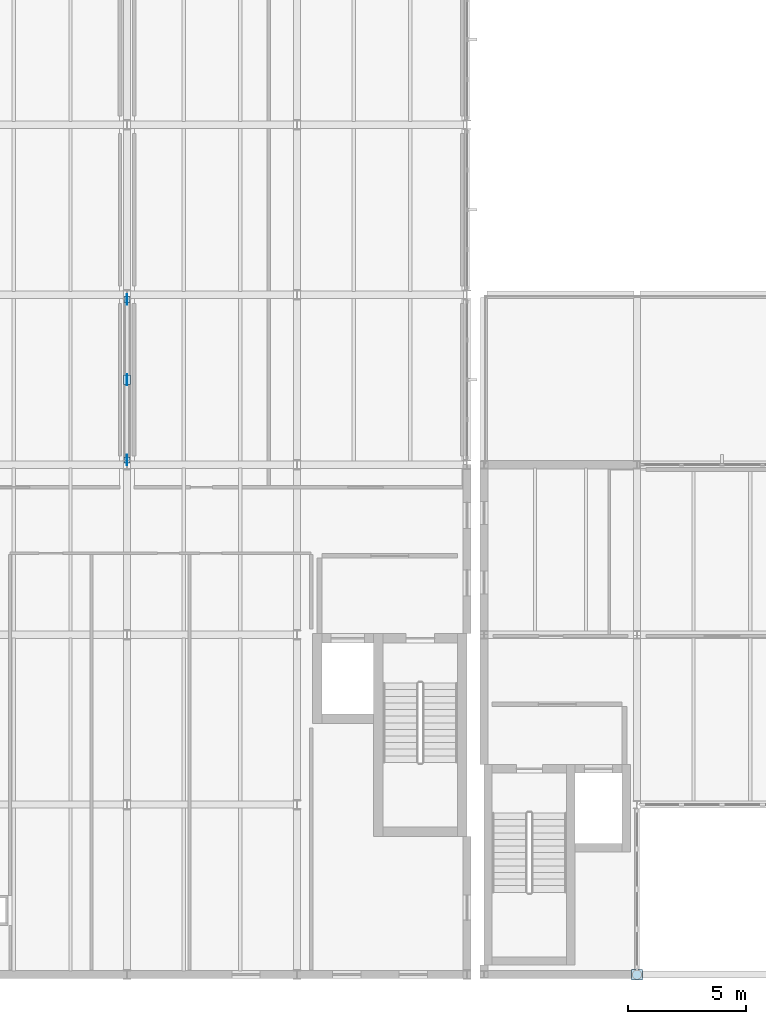
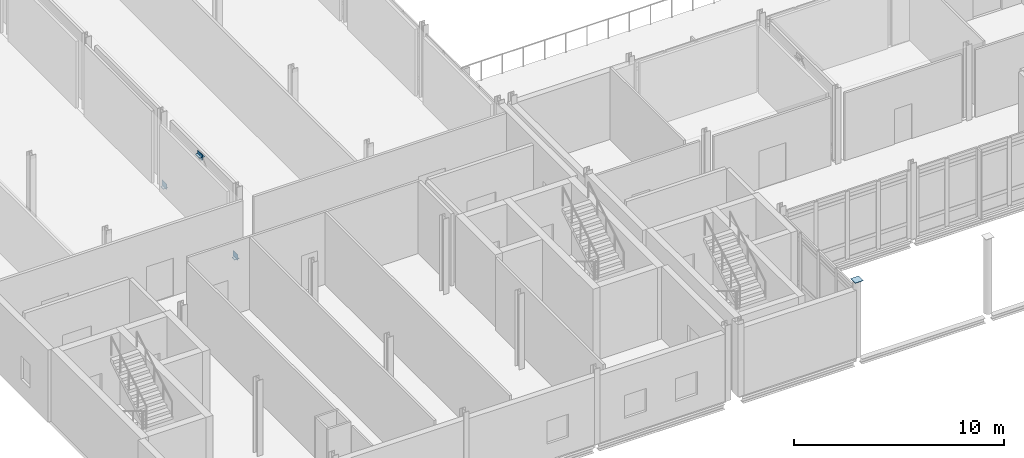
# One storey, part 29 of 53: 7 plates.
"""IFC4 building model written with IfcOpenShell, lengths in metres."""

import ifcopenshell
import ifcopenshell.guid

model = None  # the IFC model being written
_history = None  # IfcOwnerHistory: only IFC2X3 demands one
_inside = {}  # id of a spatial element -> (the spatial element, [elements in it])
_under = {}  # id of a project, library or spatial element -> (it, [spatial elements below it])
_declared = {}  # id of a project -> (the project, [libraries it declares])
_typed = {}  # id of a type object -> (the type object, [elements of that type])
_made_of = {}  # id of a material, layer set ... -> (it, [elements and type objects made of it])


def new_model(schema):
    """Start an empty IFC model of exactly this schema.

    Asked for "IFC4X3", IfcOpenShell would pick the latest addendum, in which some entities
    have other attributes; the version numbers below select the first issue.
    IFC2X3 requires an IfcOwnerHistory on every rooted entity: one is made here for all.
    """
    global model, _history
    if schema == "IFC4X3":
        model = ifcopenshell.file(schema_version=(4, 3, 0, 0))
    else:
        model = ifcopenshell.file(schema=schema)
    _inside.clear()
    _under.clear()
    _declared.clear()
    _typed.clear()
    _made_of.clear()
    _history = None
    if model.schema == "IFC2X3":
        org = make("IfcOrganization", Name="unknown")
        user = make(
            "IfcPersonAndOrganization",
            ThePerson=make("IfcPerson", FamilyName="unknown"),
            TheOrganization=org,
        )
        app = make(
            "IfcApplication",
            ApplicationDeveloper=org,
            Version="unknown",
            ApplicationFullName="unknown",
            ApplicationIdentifier="unknown",
        )
        _history = make(
            "IfcOwnerHistory",
            OwningUser=user,
            OwningApplication=app,
            ChangeAction="ADDED",
            CreationDate=0,
        )
    return model


def make(cls, **values):
    """One entity of the class cls with the attributes given. An attribute that is None is left unset."""
    return model.create_entity(
        cls, **{name: value for name, value in values.items() if value is not None}
    )


def rooted(cls, **values):
    """An entity with a GlobalId (a new one), such as an element, a storey or a relation."""
    return make(cls, GlobalId=ifcopenshell.guid.new(), OwnerHistory=_history, **values)


def si_unit(unit_type, name, prefix=None):
    """IfcSIUnit, for example si_unit("LENGTHUNIT", "METRE", prefix="MILLI")."""
    return make("IfcSIUnit", UnitType=unit_type, Prefix=prefix, Name=name)


def assignment(units):
    """IfcUnitAssignment: the units of a project."""
    return None if units is None else make("IfcUnitAssignment", Units=units)


def point(xyz):
    """IfcCartesianPoint."""
    return None if xyz is None else make("IfcCartesianPoint", Coordinates=xyz)


def direction(xyz):
    """IfcDirection."""
    return None if xyz is None else make("IfcDirection", DirectionRatios=xyz)


def frame(location, z_axis=None, x_axis=None):
    """IfcAxis2Placement3D, a coordinate frame: its origin and axes. An axis left out is left unset."""
    return make(
        "IfcAxis2Placement3D",
        Location=point(location),
        Axis=direction(z_axis),
        RefDirection=direction(x_axis),
    )


def frame_2d(location, x_axis=None):
    """IfcAxis2Placement2D, a coordinate frame in the plane: its origin and x axis."""
    return make(
        "IfcAxis2Placement2D", Location=point(location), RefDirection=direction(x_axis)
    )


def origin():
    """The frame at (0, 0, 0) with its axes left unset."""
    return frame((0.0, 0.0, 0.0))


def origin_2d():
    """The frame at (0, 0) in the plane with its x axis left unset."""
    return frame_2d((0.0, 0.0))


def place(relative_to, where):
    """IfcLocalPlacement: puts the frame where relative to a parent placement (None: the world)."""
    return make(
        "IfcLocalPlacement", PlacementRelTo=relative_to, RelativePlacement=where
    )


def context(
    kind, dimensions, precision=None, world=None, true_north=None, identifier=None
):
    """IfcGeometricRepresentationContext, for example the 3D "Model" context."""
    return make(
        "IfcGeometricRepresentationContext",
        ContextIdentifier=identifier,
        ContextType=kind,
        CoordinateSpaceDimension=dimensions,
        Precision=precision,
        WorldCoordinateSystem=world,
        TrueNorth=true_north,
    )


def subcontext(parent, identifier, kind, view, scale=None):
    """IfcGeometricRepresentationSubContext, for example "Body" below "Model"."""
    return make(
        "IfcGeometricRepresentationSubContext",
        ContextIdentifier=identifier,
        ContextType=kind,
        ParentContext=parent,
        TargetScale=scale,
        TargetView=view,
    )


def project(units=None, contexts=None):
    """IfcProject with its units and contexts."""
    return rooted(
        "IfcProject",
        Name="project",
        RepresentationContexts=contexts,
        UnitsInContext=assignment(units),
    )


def spatial(cls, under=None, at=None, **own):
    """A site, building, storey or space (cls), placed at a placement, below another one or the project."""
    s = rooted(cls, ObjectPlacement=at, **own)
    if under is not None:
        _under.setdefault(under.id(), (under, []))[1].append(s)
    return s


def profile(cls, at=None, kind="AREA", **sizes):
    """A parametric profile (cls). Its sizes go by their IFC names, for example OverallWidth=200.0."""
    return make(cls, ProfileType=kind, Position=at, **sizes)


def rectangle(**sizes):
    """IfcRectangleProfileDef."""
    return profile("IfcRectangleProfileDef", **sizes)


def extrude(swept, where, along, depth):
    """IfcExtrudedAreaSolid: the profile swept, set in the frame where, extruded along a direction by depth."""
    return make(
        "IfcExtrudedAreaSolid",
        SweptArea=swept,
        Position=where,
        ExtrudedDirection=direction(along),
        Depth=depth,
    )


def shape(context_of_items, identifier, shape_type, items):
    """IfcShapeRepresentation: the items that make up one representation, for example the "Body"."""
    return make(
        "IfcShapeRepresentation",
        ContextOfItems=context_of_items,
        RepresentationIdentifier=identifier,
        RepresentationType=shape_type,
        Items=items,
    )


def material(Name=None, Category=None):
    """IfcMaterial."""
    return make("IfcMaterial", Name=Name, Category=Category)


def layer(
    of_material, thickness, ventilated=None, Name=None, Category=None, Priority=None
):
    """IfcMaterialLayer: one layer of a wall or slab, of a material (None: an air gap)."""
    return make(
        "IfcMaterialLayer",
        Material=of_material,
        LayerThickness=thickness,
        IsVentilated=ventilated,
        Name=Name,
        Category=Category,
        Priority=Priority,
    )


def layer_set(layers, Name=None):
    """IfcMaterialLayerSet."""
    return make("IfcMaterialLayerSet", MaterialLayers=layers, LayerSetName=Name)


def made_of(thing, what):
    """Note that an element or type object is made of a material, layer set ...; save() writes the relation."""
    if what is not None:
        _made_of.setdefault(what.id(), (what, []))[1].append(thing)
    return thing


def type_object(cls, material=None, **own):
    """A type object (cls), such as IfcWallType, which elements share."""
    return made_of(rooted(cls, **own), material)


def element(
    cls,
    number,
    at=None,
    inside=None,
    cuts=None,
    type_object=None,
    material=None,
    context=None,
    identifier="Body",
    shape_type=None,
    held_by="IfcProductDefinitionShape",
    body=None,
    shapes=None,
    **own,
):
    """One element of the class cls, such as IfcWall. Its Tag is "e" and its number.

    at: its placement. inside: the storey or other place that contains it. cuts: it is an
    opening in that element (IfcRelVoidsElement). A single representation is given by context,
    identifier, shape_type and body (its items); several are given by shapes. held_by: the class
    of the entity that holds the representations. save() writes the other relations.
    """
    e = rooted(cls, Tag="e%d" % number, ObjectPlacement=at, **own)
    if body is not None:
        shapes = [shape(context, identifier, shape_type, body)]
    if shapes is not None:
        e.Representation = make(held_by, Representations=shapes)
    if inside is not None:
        _inside.setdefault(inside.id(), (inside, []))[1].append(e)
    if cuts is not None:
        rooted(
            "IfcRelVoidsElement", RelatingBuildingElement=cuts, RelatedOpeningElement=e
        )
    if type_object is not None:
        _typed.setdefault(type_object.id(), (type_object, []))[1].append(e)
    return made_of(e, material)


def aggregate(whole, parts):
    """IfcRelAggregates: a whole, such as a stair, and the parts it consists of."""
    return rooted("IfcRelAggregates", RelatingObject=whole, RelatedObjects=parts)


def save(model, path):
    """Write the relations noted so far, then the file.

    IfcRelAggregates (storeys below a building ...), IfcRelContainedInSpatialStructure (elements
    in a storey), IfcRelDefinesByType, IfcRelAssociatesMaterial and IfcRelDeclares: one each for
    every whole, place, type object, material and project.
    """
    for whole, parts in _under.values():
        aggregate(whole, parts)
    for where, things in _inside.values():
        rooted(
            "IfcRelContainedInSpatialStructure",
            RelatedElements=things,
            RelatingStructure=where,
        )
    for kind, things in _typed.values():
        rooted("IfcRelDefinesByType", RelatedObjects=things, RelatingType=kind)
    for what, things in _made_of.values():
        rooted("IfcRelAssociatesMaterial", RelatedObjects=things, RelatingMaterial=what)
    for by, libraries in _declared.values():
        rooted("IfcRelDeclares", RelatingContext=by, RelatedDefinitions=libraries)
    model.write(path)


model = new_model("IFC4")

# Units and contexts
model_context = context("Model", 3, precision=1e-05, world=origin(), true_north=direction((0.0, 1.0)))
body_context = subcontext(model_context, "Body", "Model", "MODEL_VIEW")
ifc_project = project(units=[si_unit("LENGTHUNIT", "METRE"), si_unit("AREAUNIT", "SQUARE_METRE"), si_unit("VOLUMEUNIT", "CUBIC_METRE"), si_unit("PLANEANGLEUNIT", "RADIAN"), si_unit("MASSUNIT", "GRAM", prefix="KILO")], contexts=[model_context])

# Site, building, storey
site_placement = place(None, origin())
site = spatial("IfcSite", under=ifc_project, at=site_placement, CompositionType="ELEMENT")
building_placement = place(site_placement, origin())
building = spatial("IfcBuilding", under=site, at=building_placement, Name="Zarrinpeak Specialist Clinic", CompositionType="ELEMENT")
storey_placement = place(building_placement, frame((0.0, 0.0, 14.0)))
storey = spatial("IfcBuildingStorey", under=building, at=storey_placement, Name="L03", CompositionType="ELEMENT", Elevation=14.0)

# Plates
ifc_material = material(Name="Steel S355", Category="steel")
ifc_layer_1 = layer(ifc_material, 0.01611328125)
ifc_layer_set_1 = layer_set([ifc_layer_1], Name="Steel S355")
plate_type_1 = type_object("IfcPlateType", Name="PL-CAP219", PredefinedType="SHEET", material=ifc_layer_set_1)
for number, where, z_axis, x_axis, name in (
    (1, (14.39990234375, 21.800048828125, 0.0009765625), (0.0, 0.0, 1.0), (1.0, 0.0, 0.0), "V1 L03 Hollow Brace Foot Cap Plate A"),
    (2, (14.39990234375, 28.60009765625, 0.0009765625), (0.0, 0.0, 1.0), (1.0, 0.0, 0.0), "V1 L03 Hollow Brace Foot Cap Plate B"),
):
    element("IfcPlate", number, at=place(storey_placement, frame(where, z_axis=z_axis, x_axis=x_axis)), inside=storey, type_object=plate_type_1, Name=name, PredefinedType="SHEET", context=body_context, shape_type="SweptSolid", body=[
        extrude(rectangle(XDim=0.260009765625, YDim=0.260009765625, at=origin_2d()), origin(), (0.0, 0.0, 1.0), 0.01611328125),
    ])
ifc_layer_2 = layer(ifc_material, 0.02197265625)
ifc_layer_set_2 = layer_set([ifc_layer_2], Name="Steel S355")
plate_type_2 = type_object("IfcPlateType", Name="PL-CAP406", PredefinedType="SHEET", material=ifc_layer_set_2)
plate_1_placement = place(storey_placement, frame((36.0, 0.0, 4.39599609375), z_axis=(0.0, 0.0, 1.0), x_axis=(1.0, 0.0, 0.0)))
element("IfcPlate", 3, at=plate_1_placement, inside=storey, type_object=plate_type_2, Name="L03 Hollow Column Top Cap Plate CCAP-T-123", PredefinedType="SHEET", context=body_context, shape_type="SweptSolid", body=[
    extrude(rectangle(XDim=0.449951171875, YDim=0.449951171875, at=origin_2d()), origin(), (0.0, 0.0, 1.0), 0.02197265625),
])
ifc_layer_3 = layer(ifc_material, 0.02001953125)
ifc_layer_set_3 = layer_set([ifc_layer_3], Name="Steel S355")
plate_type_3 = type_object("IfcPlateType", Name="PL-GN01", PredefinedType="SHEET", material=ifc_layer_set_3)
plate_2_placement = place(storey_placement, frame((14.39990234375, 25.199951171875, 3.73974609375), z_axis=(0.0, 0.0, 1.0), x_axis=(1.0, 0.0, 0.0)))
element("IfcPlate", 4, at=plate_2_placement, inside=storey, type_object=plate_type_3, Name="V1 L03 Chevron Gusset Node Plate GN-V1-L03", PredefinedType="SHEET", context=body_context, shape_type="SweptSolid", body=[
    extrude(rectangle(XDim=0.02001953125, YDim=0.47998046875, at=origin_2d()), origin(), (0.0, 0.0, 1.0), 0.340087890625),
])
ifc_layer_4 = layer(ifc_material, 0.01611328125)
ifc_layer_set_4 = layer_set([ifc_layer_4], Name="Steel S355")
plate_type_4 = type_object("IfcPlateType", Name="PL-GN02", PredefinedType="SHEET", material=ifc_layer_set_4)
plate_3_placement = place(storey_placement, frame((14.39990234375, 25.199951171875, 3.907958984375), z_axis=(0.0, 0.0, 1.0), x_axis=(1.0, 0.0, 0.0)))
element("IfcPlate", 5, at=plate_3_placement, inside=storey, type_object=plate_type_4, Name="V1 L03 Chevron Apex Seal Plate GNCAP-V1-L03", PredefinedType="SHEET", context=body_context, shape_type="SweptSolid", body=[
    extrude(rectangle(XDim=0.280029296875, YDim=0.39990234375, at=origin_2d()), origin(), (0.0, 0.0, 1.0), 0.01611328125),
])
ifc_layer_5 = layer(ifc_material, 0.01806640625)
ifc_layer_set_5 = layer_set([ifc_layer_5], Name="Steel S355")
plate_type_5 = type_object("IfcPlateType", Name="PL-GN03", PredefinedType="SHEET", material=ifc_layer_set_5)
for number, where, z_axis, x_axis, name in (
    (6, (14.39990234375, 21.800048828125, 0.0048828125), (0.0, 0.0, 1.0), (1.0, 0.0, 0.0), "V1 L03 Brace Foot Gusset Plate GNF-V1-L03-A"),
    (7, (14.39990234375, 28.60009765625, 0.0048828125), (0.0, 0.0, 1.0), (1.0, 0.0, 0.0), "V1 L03 Brace Foot Gusset Plate GNF-V1-L03-B"),
):
    element("IfcPlate", number, at=place(storey_placement, frame(where, z_axis=z_axis, x_axis=x_axis)), inside=storey, type_object=plate_type_5, Name=name, PredefinedType="SHEET", context=body_context, shape_type="SweptSolid", body=[
        extrude(rectangle(XDim=0.01806640625, YDim=0.43994140625, at=origin_2d()), origin(), (0.0, 0.0, 1.0), 0.31005859375),
    ])

save(model, "model.ifc")
